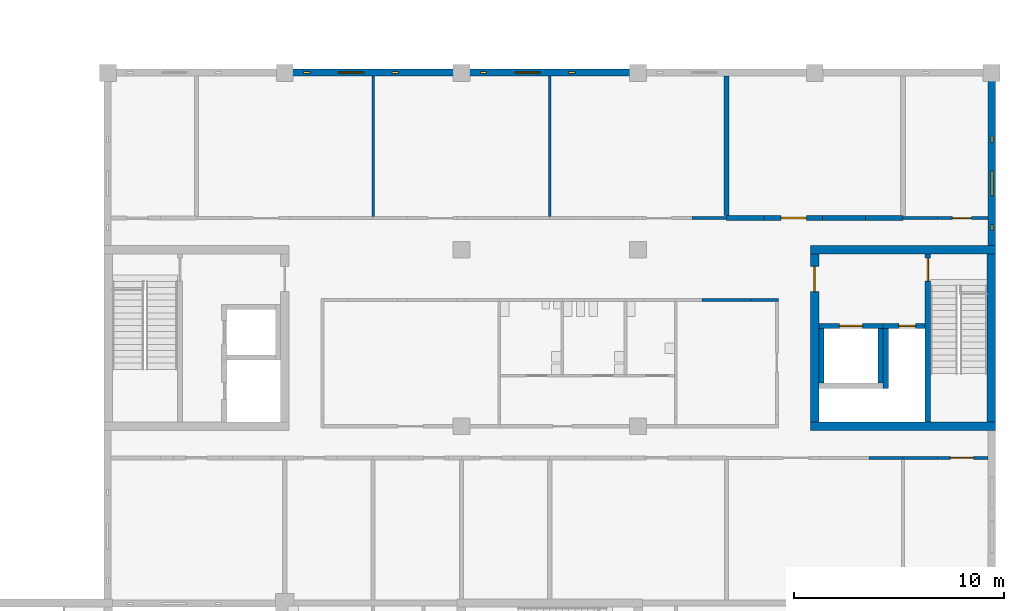
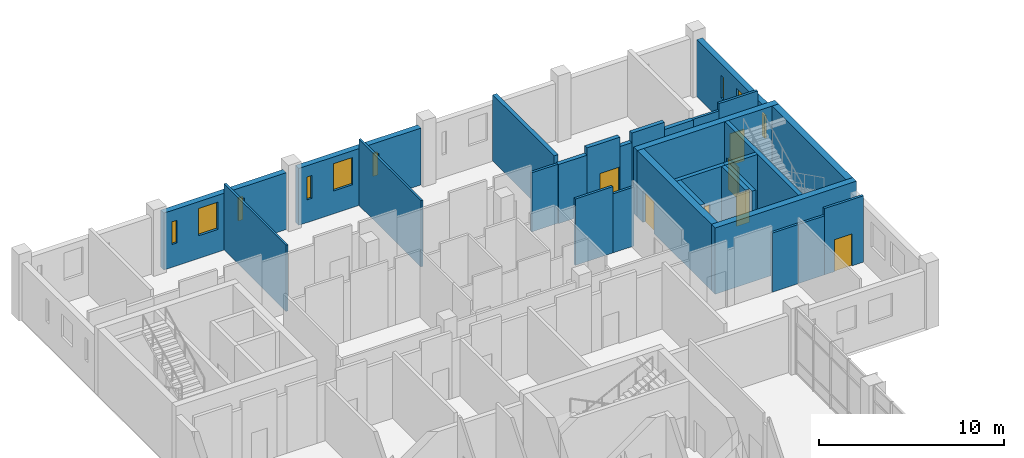
# One storey, part 48 of 70: 29 walls, 9 windows, 7 doors, 16 openings.
"""IFC4 building model written with IfcOpenShell, lengths in metres."""

import ifcopenshell
import ifcopenshell.guid

model = None  # the IFC model being written
_history = None  # IfcOwnerHistory: only IFC2X3 demands one
_inside = {}  # id of a spatial element -> (the spatial element, [elements in it])
_under = {}  # id of a project, library or spatial element -> (it, [spatial elements below it])
_declared = {}  # id of a project -> (the project, [libraries it declares])
_typed = {}  # id of a type object -> (the type object, [elements of that type])
_made_of = {}  # id of a material, layer set ... -> (it, [elements and type objects made of it])


def new_model(schema):
    """Start an empty IFC model of exactly this schema.

    Asked for "IFC4X3", IfcOpenShell would pick the latest addendum, in which some entities
    have other attributes; the version numbers below select the first issue.
    IFC2X3 requires an IfcOwnerHistory on every rooted entity: one is made here for all.
    """
    global model, _history
    if schema == "IFC4X3":
        model = ifcopenshell.file(schema_version=(4, 3, 0, 0))
    else:
        model = ifcopenshell.file(schema=schema)
    _inside.clear()
    _under.clear()
    _declared.clear()
    _typed.clear()
    _made_of.clear()
    _history = None
    if model.schema == "IFC2X3":
        org = make("IfcOrganization", Name="unknown")
        user = make(
            "IfcPersonAndOrganization",
            ThePerson=make("IfcPerson", FamilyName="unknown"),
            TheOrganization=org,
        )
        app = make(
            "IfcApplication",
            ApplicationDeveloper=org,
            Version="unknown",
            ApplicationFullName="unknown",
            ApplicationIdentifier="unknown",
        )
        _history = make(
            "IfcOwnerHistory",
            OwningUser=user,
            OwningApplication=app,
            ChangeAction="ADDED",
            CreationDate=0,
        )
    return model


def make(cls, **values):
    """One entity of the class cls with the attributes given. An attribute that is None is left unset."""
    return model.create_entity(
        cls, **{name: value for name, value in values.items() if value is not None}
    )


def rooted(cls, **values):
    """An entity with a GlobalId (a new one), such as an element, a storey or a relation."""
    return make(cls, GlobalId=ifcopenshell.guid.new(), OwnerHistory=_history, **values)


def si_unit(unit_type, name, prefix=None):
    """IfcSIUnit, for example si_unit("LENGTHUNIT", "METRE", prefix="MILLI")."""
    return make("IfcSIUnit", UnitType=unit_type, Prefix=prefix, Name=name)


def assignment(units):
    """IfcUnitAssignment: the units of a project."""
    return None if units is None else make("IfcUnitAssignment", Units=units)


def point(xyz):
    """IfcCartesianPoint."""
    return None if xyz is None else make("IfcCartesianPoint", Coordinates=xyz)


def direction(xyz):
    """IfcDirection."""
    return None if xyz is None else make("IfcDirection", DirectionRatios=xyz)


def frame(location, z_axis=None, x_axis=None):
    """IfcAxis2Placement3D, a coordinate frame: its origin and axes. An axis left out is left unset."""
    return make(
        "IfcAxis2Placement3D",
        Location=point(location),
        Axis=direction(z_axis),
        RefDirection=direction(x_axis),
    )


def frame_2d(location, x_axis=None):
    """IfcAxis2Placement2D, a coordinate frame in the plane: its origin and x axis."""
    return make(
        "IfcAxis2Placement2D", Location=point(location), RefDirection=direction(x_axis)
    )


def origin():
    """The frame at (0, 0, 0) with its axes left unset."""
    return frame((0.0, 0.0, 0.0))


def place(relative_to, where):
    """IfcLocalPlacement: puts the frame where relative to a parent placement (None: the world)."""
    return make(
        "IfcLocalPlacement", PlacementRelTo=relative_to, RelativePlacement=where
    )


def context(
    kind, dimensions, precision=None, world=None, true_north=None, identifier=None
):
    """IfcGeometricRepresentationContext, for example the 3D "Model" context."""
    return make(
        "IfcGeometricRepresentationContext",
        ContextIdentifier=identifier,
        ContextType=kind,
        CoordinateSpaceDimension=dimensions,
        Precision=precision,
        WorldCoordinateSystem=world,
        TrueNorth=true_north,
    )


def subcontext(parent, identifier, kind, view, scale=None):
    """IfcGeometricRepresentationSubContext, for example "Body" below "Model"."""
    return make(
        "IfcGeometricRepresentationSubContext",
        ContextIdentifier=identifier,
        ContextType=kind,
        ParentContext=parent,
        TargetScale=scale,
        TargetView=view,
    )


def project(units=None, contexts=None):
    """IfcProject with its units and contexts."""
    return rooted(
        "IfcProject",
        Name="project",
        RepresentationContexts=contexts,
        UnitsInContext=assignment(units),
    )


def spatial(cls, under=None, at=None, **own):
    """A site, building, storey or space (cls), placed at a placement, below another one or the project."""
    s = rooted(cls, ObjectPlacement=at, **own)
    if under is not None:
        _under.setdefault(under.id(), (under, []))[1].append(s)
    return s


def profile(cls, at=None, kind="AREA", **sizes):
    """A parametric profile (cls). Its sizes go by their IFC names, for example OverallWidth=200.0."""
    return make(cls, ProfileType=kind, Position=at, **sizes)


def rectangle(**sizes):
    """IfcRectangleProfileDef."""
    return profile("IfcRectangleProfileDef", **sizes)


def extrude(swept, where, along, depth):
    """IfcExtrudedAreaSolid: the profile swept, set in the frame where, extruded along a direction by depth."""
    return make(
        "IfcExtrudedAreaSolid",
        SweptArea=swept,
        Position=where,
        ExtrudedDirection=direction(along),
        Depth=depth,
    )


def shape(context_of_items, identifier, shape_type, items):
    """IfcShapeRepresentation: the items that make up one representation, for example the "Body"."""
    return make(
        "IfcShapeRepresentation",
        ContextOfItems=context_of_items,
        RepresentationIdentifier=identifier,
        RepresentationType=shape_type,
        Items=items,
    )


def material(Name=None, Category=None):
    """IfcMaterial."""
    return make("IfcMaterial", Name=Name, Category=Category)


def layer(
    of_material, thickness, ventilated=None, Name=None, Category=None, Priority=None
):
    """IfcMaterialLayer: one layer of a wall or slab, of a material (None: an air gap)."""
    return make(
        "IfcMaterialLayer",
        Material=of_material,
        LayerThickness=thickness,
        IsVentilated=ventilated,
        Name=Name,
        Category=Category,
        Priority=Priority,
    )


def layer_set(layers, Name=None):
    """IfcMaterialLayerSet."""
    return make("IfcMaterialLayerSet", MaterialLayers=layers, LayerSetName=Name)


def made_of(thing, what):
    """Note that an element or type object is made of a material, layer set ...; save() writes the relation."""
    if what is not None:
        _made_of.setdefault(what.id(), (what, []))[1].append(thing)
    return thing


def type_object(cls, material=None, **own):
    """A type object (cls), such as IfcWallType, which elements share."""
    return made_of(rooted(cls, **own), material)


def element(
    cls,
    number,
    at=None,
    inside=None,
    cuts=None,
    type_object=None,
    material=None,
    context=None,
    identifier="Body",
    shape_type=None,
    held_by="IfcProductDefinitionShape",
    body=None,
    shapes=None,
    **own,
):
    """One element of the class cls, such as IfcWall. Its Tag is "e" and its number.

    at: its placement. inside: the storey or other place that contains it. cuts: it is an
    opening in that element (IfcRelVoidsElement). A single representation is given by context,
    identifier, shape_type and body (its items); several are given by shapes. held_by: the class
    of the entity that holds the representations. save() writes the other relations.
    """
    e = rooted(cls, Tag="e%d" % number, ObjectPlacement=at, **own)
    if body is not None:
        shapes = [shape(context, identifier, shape_type, body)]
    if shapes is not None:
        e.Representation = make(held_by, Representations=shapes)
    if inside is not None:
        _inside.setdefault(inside.id(), (inside, []))[1].append(e)
    if cuts is not None:
        rooted(
            "IfcRelVoidsElement", RelatingBuildingElement=cuts, RelatedOpeningElement=e
        )
    if type_object is not None:
        _typed.setdefault(type_object.id(), (type_object, []))[1].append(e)
    return made_of(e, material)


def fill(opening, filler):
    """IfcRelFillsElement: the door or window that sits in an opening."""
    return rooted(
        "IfcRelFillsElement",
        RelatingOpeningElement=opening,
        RelatedBuildingElement=filler,
    )


def aggregate(whole, parts):
    """IfcRelAggregates: a whole, such as a stair, and the parts it consists of."""
    return rooted("IfcRelAggregates", RelatingObject=whole, RelatedObjects=parts)


def save(model, path):
    """Write the relations noted so far, then the file.

    IfcRelAggregates (storeys below a building ...), IfcRelContainedInSpatialStructure (elements
    in a storey), IfcRelDefinesByType, IfcRelAssociatesMaterial and IfcRelDeclares: one each for
    every whole, place, type object, material and project.
    """
    for whole, parts in _under.values():
        aggregate(whole, parts)
    for where, things in _inside.values():
        rooted(
            "IfcRelContainedInSpatialStructure",
            RelatedElements=things,
            RelatingStructure=where,
        )
    for kind, things in _typed.values():
        rooted("IfcRelDefinesByType", RelatedObjects=things, RelatingType=kind)
    for what, things in _made_of.values():
        rooted("IfcRelAssociatesMaterial", RelatedObjects=things, RelatingMaterial=what)
    for by, libraries in _declared.values():
        rooted("IfcRelDeclares", RelatingContext=by, RelatedDefinitions=libraries)
    model.write(path)


model = new_model("IFC4")

# Units and contexts
model_context = context("Model", 3, precision=1e-05, world=origin(), true_north=direction((0.0, 1.0)))
body_context = subcontext(model_context, "Body", "Model", "MODEL_VIEW")
ifc_project = project(units=[si_unit("LENGTHUNIT", "METRE"), si_unit("AREAUNIT", "SQUARE_METRE"), si_unit("VOLUMEUNIT", "CUBIC_METRE"), si_unit("PLANEANGLEUNIT", "RADIAN"), si_unit("MASSUNIT", "GRAM", prefix="KILO")], contexts=[model_context])

# Site, building, storey
site_placement = place(None, origin())
site = spatial("IfcSite", under=ifc_project, at=site_placement, CompositionType="ELEMENT")
building_placement = place(site_placement, origin())
building = spatial("IfcBuilding", under=site, at=building_placement, Name="Hlaing Beacon Police Headquarters", CompositionType="ELEMENT")
storey_placement = place(building_placement, frame((0.0, 0.0, 5.39990234375)))
storey = spatial("IfcBuildingStorey", under=building, at=storey_placement, Name="L01", CompositionType="ELEMENT", Elevation=5.39990234375)

# Walls
ifc_material_1 = material(Name="Concrete C60/75", Category="concrete")
ifc_layer_1 = layer(ifc_material_1, 0.39990234375)
ifc_layer_set_1 = layer_set([ifc_layer_1], Name="Concrete C60/75")
wall_type_1 = type_object("IfcWallType", Name="Core shear wall 400", PredefinedType="SHEAR", material=ifc_layer_set_1)
for number, where, z_axis, x_axis, name in (
    (1, (125.800048828125, 75.60009765625, 0.0), (0.0, 0.0, 1.0), (1.0, 0.0, 0.0), "Core shear wall"),
    (2, (125.800048828125, 84.0, 0.0), (0.0, 0.0, 1.0), (1.0, 0.0, 0.0), "Core shear wall"),
):
    element("IfcWall", number, at=place(storey_placement, frame(where, z_axis=z_axis, x_axis=x_axis)), inside=storey, type_object=wall_type_1, Name=name, PredefinedType="SHEAR", context=body_context, shape_type="SweptSolid", body=[
        extrude(rectangle(XDim=8.800048828125, YDim=0.39990234375, at=frame_2d((4.39990234375, 0.0))), origin(), (0.0, 0.0, 1.0), 4.3701171875),
    ])

# Wall, opening, door
wall_1_placement = place(storey_placement, frame((126.0, 75.800048828125, 0.0), z_axis=(0.0, 0.0, 1.0), x_axis=(0.0, 1.0, 0.0)))
wall_1 = element("IfcWall", 3, at=wall_1_placement, inside=storey, type_object=wall_type_1, Name="Core shear wall", PredefinedType="SHEAR", context=body_context, shape_type="SweptSolid", body=[
    extrude(rectangle(XDim=8.0, YDim=0.39990234375, at=frame_2d((4.0, 0.0))), origin(), (0.0, 0.0, 1.0), 4.3701171875),
])
opening_1_placement = place(wall_1_placement, frame((6.199951171875, 0.0, 0.0)))
opening_1 = element("IfcOpeningElement", 4, at=opening_1_placement, cuts=wall_1, Name="Opening L01-969", PredefinedType="OPENING", context=body_context, shape_type="SweptSolid", body=[
    extrude(rectangle(XDim=1.199951171875, YDim=2.10009765625, at=frame_2d((0.60009765625, 1.050048828125))), frame((0.0, 0.2099609375, 0.0), z_axis=(0.0, -1.0, 0.0), x_axis=(1.0, 0.0, 0.0)), (0.0, 0.0, 1.0), 0.419921875),
])
ifc_material_2 = material(Name="Steel fire door leaf", Category="steel")
ifc_layer_2 = layer(ifc_material_2, 0.070068359375)
ifc_layer_set_2 = layer_set([ifc_layer_2], Name="Steel fire door leaf")
door_type_1 = type_object("IfcDoorType", Name="Steel fire door FD60S 1200x2100", OperationType="SINGLE_SWING_LEFT", PredefinedType="DOOR", material=ifc_layer_set_2)
door_1_placement = place(opening_1_placement, frame((1.199951171875, 0.0, 0.0), z_axis=(0.0, 0.0, 1.0), x_axis=(-1.0, 0.0, 0.0)))
door_1 = element("IfcDoor", 5, at=door_1_placement, inside=storey, type_object=door_type_1, Name="Door Firefighting Lobby Entry", OperationType="SINGLE_SWING_LEFT", OverallHeight=2.10009765625, OverallWidth=1.199951171875, PredefinedType="DOOR", context=body_context, shape_type="SweptSolid", body=[
    extrude(rectangle(XDim=1.199951171875, YDim=2.10009765625, at=frame_2d((0.599853515625, 1.050048828125))), frame((0.0, 0.034912109375, 0.0), z_axis=(0.0, -1.0, 0.0), x_axis=(1.0, 0.0, 0.0)), (0.0, 0.0, 1.0), 0.070068359375),
])
fill(opening_1, door_1)

# Walls
wall_2_placement = place(storey_placement, frame((134.39990234375, 75.800048828125, 0.0), z_axis=(0.0, 0.0, 1.0), x_axis=(0.0, 1.0, 0.0)))
element("IfcWall", 6, at=wall_2_placement, inside=storey, type_object=wall_type_1, Name="Core shear wall", PredefinedType="SHEAR", context=body_context, shape_type="SweptSolid", body=[
    extrude(rectangle(XDim=8.0, YDim=0.39990234375, at=frame_2d((4.0, 0.0))), origin(), (0.0, 0.0, 1.0), 4.3701171875),
])
ifc_material_3 = material(Name="Gypsum board partition")
ifc_layer_3 = layer(ifc_material_3, 0.14990234375)
ifc_layer_set_3 = layer_set([ifc_layer_3], Name="Gypsum board partition")
wall_type_2 = type_object("IfcWallType", Name="Corridor wall EI 30 150", PredefinedType="PARTITIONING", material=ifc_layer_set_3)
wall_3_placement = place(storey_placement, frame((120.6298828125, 81.60009765625, 0.0), z_axis=(0.0, 0.0, 1.0), x_axis=(1.0, 0.0, 0.0)))
element("IfcWall", 7, at=wall_3_placement, inside=storey, type_object=wall_type_2, Name="Corridor wall EI 30 150", PredefinedType="PARTITIONING", context=body_context, shape_type="SweptSolid", body=[
    extrude(rectangle(XDim=2.340087890625, YDim=0.14990234375, at=frame_2d((1.169921875, 0.0))), origin(), (0.0, 0.0, 1.0), 4.3701171875),
])
wall_4_placement = place(storey_placement, frame((122.969970703125, 81.60009765625, 0.0), z_axis=(0.0, 0.0, 1.0), x_axis=(1.0, 0.0, 0.0)))
element("IfcWall", 8, at=wall_4_placement, inside=storey, type_object=wall_type_2, Name="Corridor wall EI 30 150", PredefinedType="PARTITIONING", context=body_context, shape_type="SweptSolid", body=[
    extrude(rectangle(XDim=1.304931640625, YDim=0.14990234375, at=frame_2d((0.65234375, 0.0))), origin(), (0.0, 0.0, 1.0), 3.89501953125),
])
for number, where, z_axis, x_axis, name in (
    (9, (120.169921875, 85.5, 0.0), (0.0, 0.0, 1.0), (1.0, 0.0, 0.0), "Corridor wall EI 30 150"),
    (10, (130.199951171875, 85.5, 0.0), (0.0, 0.0, 1.0), (1.0, 0.0, 0.0), "Corridor wall EI 30 150"),
):
    element("IfcWall", number, at=place(storey_placement, frame(where, z_axis=z_axis, x_axis=x_axis)), inside=storey, type_object=wall_type_2, Name=name, PredefinedType="PARTITIONING", context=body_context, shape_type="SweptSolid", body=[
        extrude(rectangle(XDim=1.630126953125, YDim=0.14990234375, at=frame_2d((0.81494140625, 0.0))), origin(), (0.0, 0.0, 1.0), 3.89501953125),
    ])

# Wall, opening, door
wall_5_placement = place(storey_placement, frame((131.830078125, 85.5, 0.0), z_axis=(0.0, 0.0, 1.0), x_axis=(1.0, 0.0, 0.0)))
wall_5 = element("IfcWall", 11, at=wall_5_placement, inside=storey, type_object=wall_type_2, Name="Corridor wall EI 30 150", PredefinedType="PARTITIONING", context=body_context, shape_type="SweptSolid", body=[
    extrude(rectangle(XDim=2.419921875, YDim=0.14990234375, at=frame_2d((1.2099609375, 0.0))), origin(), (0.0, 0.0, 1.0), 4.3701171875),
])
opening_2_placement = place(wall_5_placement, frame((0.719970703125, 0.0, 0.0)))
opening_2 = element("IfcOpeningElement", 12, at=opening_2_placement, cuts=wall_5, Name="Opening L01-080", PredefinedType="OPENING", context=body_context, shape_type="SweptSolid", body=[
    extrude(rectangle(XDim=0.89990234375, YDim=2.10009765625, at=frame_2d((0.449951171875, 1.050048828125))), frame((0.0, 0.0849609375, 0.0), z_axis=(0.0, -1.0, 0.0), x_axis=(1.0, 0.0, 0.0)), (0.0, 0.0, 1.0), 0.169921875),
])
ifc_material_4 = material(Name="Hardwood door leaf", Category="wood")
ifc_layer_4 = layer(ifc_material_4, 0.050048828125)
ifc_layer_set_4 = layer_set([ifc_layer_4], Name="Hardwood door leaf")
door_type_2 = type_object("IfcDoorType", Name="Fire door FD30S 900x2100", OperationType="SINGLE_SWING_LEFT", PredefinedType="DOOR", material=ifc_layer_set_4)
door_2_placement = place(opening_2_placement, origin())
door_2 = element("IfcDoor", 13, at=door_2_placement, inside=storey, type_object=door_type_2, Name="Door Training Offices", OperationType="SINGLE_SWING_LEFT", OverallHeight=2.10009765625, OverallWidth=0.89990234375, PredefinedType="DOOR", context=body_context, shape_type="SweptSolid", body=[
    extrude(rectangle(XDim=0.89990234375, YDim=2.10009765625, at=frame_2d((0.449951171875, 1.050048828125))), frame((0.0, 0.02490234375, 0.0), z_axis=(0.0, -1.0, 0.0), x_axis=(1.0, 0.0, 0.0)), (0.0, 0.0, 1.0), 0.050048828125),
])
fill(opening_2, door_2)

# Walls
wall_6_placement = place(storey_placement, frame((128.570068359375, 74.10009765625, 0.0), z_axis=(0.0, 0.0, 1.0), x_axis=(1.0, 0.0, 0.0)))
element("IfcWall", 14, at=wall_6_placement, inside=storey, type_object=wall_type_2, Name="Corridor wall EI 30 150", PredefinedType="PARTITIONING", context=body_context, shape_type="SweptSolid", body=[
    extrude(rectangle(XDim=1.6298828125, YDim=0.14990234375, at=frame_2d((0.81494140625, 0.0))), origin(), (0.0, 0.0, 1.0), 3.89501953125),
])
wall_7_placement = place(storey_placement, frame((130.199951171875, 74.10009765625, 0.0), z_axis=(0.0, 0.0, 1.0), x_axis=(1.0, 0.0, 0.0)))
element("IfcWall", 15, at=wall_7_placement, inside=storey, type_object=wall_type_2, Name="Corridor wall EI 30 150", PredefinedType="PARTITIONING", context=body_context, shape_type="SweptSolid", body=[
    extrude(rectangle(XDim=1.630126953125, YDim=0.14990234375, at=frame_2d((0.81494140625, 0.0))), origin(), (0.0, 0.0, 1.0), 3.89501953125),
])

# Wall, opening, door
wall_8_placement = place(storey_placement, frame((131.830078125, 74.10009765625, 0.0), z_axis=(0.0, 0.0, 1.0), x_axis=(1.0, 0.0, 0.0)))
wall_8 = element("IfcWall", 16, at=wall_8_placement, inside=storey, type_object=wall_type_2, Name="Corridor wall EI 30 150", PredefinedType="PARTITIONING", context=body_context, shape_type="SweptSolid", body=[
    extrude(rectangle(XDim=2.419921875, YDim=0.14990234375, at=frame_2d((1.2099609375, 0.0))), origin(), (0.0, 0.0, 1.0), 4.3701171875),
])
opening_3_placement = place(wall_8_placement, frame((0.6201171875, 0.0, 0.0)))
opening_3 = element("IfcOpeningElement", 17, at=opening_3_placement, cuts=wall_8, Name="Opening L01-087", PredefinedType="OPENING", context=body_context, shape_type="SweptSolid", body=[
    extrude(rectangle(XDim=1.10009765625, YDim=2.10009765625, at=frame_2d((0.550048828125, 1.050048828125))), frame((0.0, 0.0849609375, 0.0), z_axis=(0.0, -1.0, 0.0), x_axis=(1.0, 0.0, 0.0)), (0.0, 0.0, 1.0), 0.169921875),
])
ifc_material_5 = material(Name="Hardwood door leaf", Category="wood")
ifc_layer_5 = layer(ifc_material_5, 0.050048828125)
ifc_layer_set_5 = layer_set([ifc_layer_5], Name="Hardwood door leaf")
door_type_3 = type_object("IfcDoorType", Name="Fire door FD30S 1100x2100", OperationType="SINGLE_SWING_LEFT", PredefinedType="DOOR", material=ifc_layer_set_5)
door_3_placement = place(opening_3_placement, frame((1.10009765625, 0.0, 0.0), z_axis=(0.0, 0.0, 1.0), x_axis=(-1.0, 0.0, 0.0)))
door_3 = element("IfcDoor", 18, at=door_3_placement, inside=storey, type_object=door_type_3, Name="Door Detainee Kitchen", OperationType="SINGLE_SWING_RIGHT", OverallHeight=2.10009765625, OverallWidth=1.10009765625, PredefinedType="DOOR", context=body_context, shape_type="SweptSolid", body=[
    extrude(rectangle(XDim=1.10009765625, YDim=2.10009765625, at=frame_2d((0.550048828125, 1.050048828125))), frame((0.0, 0.025146484375, 0.0), z_axis=(0.0, -1.0, 0.0), x_axis=(1.0, 0.0, 0.0)), (0.0, 0.0, 1.0), 0.050048828125),
])
fill(opening_3, door_3)

# Walls
ifc_material_6 = material(Name="Gypsum board partition")
ifc_layer_6 = layer(ifc_material_6, 0.125)
ifc_layer_set_6 = layer_set([ifc_layer_6], Name="Gypsum board partition")
wall_type_3 = type_object("IfcWallType", Name="Partition 125", PredefinedType="PARTITIONING", material=ifc_layer_set_6)
for number, where, z_axis, x_axis, name in (
    (19, (105.0, 85.574951171875, 0.0), (0.0, 0.0, 1.0), (0.0, 1.0, 0.0), "Partition 125"),
    (20, (113.39990234375, 85.574951171875, 0.0), (0.0, 0.0, 1.0), (0.0, 1.0, 0.0), "Partition 125"),
):
    element("IfcWall", number, at=place(storey_placement, frame(where, z_axis=z_axis, x_axis=x_axis)), inside=storey, type_object=wall_type_3, Name=name, PredefinedType="PARTITIONING", context=body_context, shape_type="SweptSolid", body=[
        extrude(rectangle(XDim=6.675048828125, YDim=0.125, at=frame_2d((3.33740234375, 0.0))), origin(), (0.0, 0.0, 1.0), 4.3701171875),
    ])
ifc_material_7 = material(Name="Concrete blockwork 7.5 N/mm2", Category="masonry")
ifc_layer_7 = layer(ifc_material_7, 0.25)
ifc_layer_set_7 = layer_set([ifc_layer_7], Name="Concrete blockwork 7.5 N/mm2")
wall_type_4 = type_object("IfcWallType", Name="Plant room wall EI 120 250", PredefinedType="PARTITIONING", material=ifc_layer_set_7)
wall_9_placement = place(storey_placement, frame((121.800048828125, 85.625, 0.0), z_axis=(0.0, 0.0, 1.0), x_axis=(0.0, 1.0, 0.0)))
element("IfcWall", 21, at=wall_9_placement, inside=storey, type_object=wall_type_4, Name="Plant room wall EI 120 250", PredefinedType="PARTITIONING", context=body_context, shape_type="SweptSolid", body=[
    extrude(rectangle(XDim=6.625, YDim=0.25, at=frame_2d((3.3125, 0.0))), origin(), (0.0, 0.0, 1.0), 4.3701171875),
])
wall_10_placement = place(storey_placement, frame((121.800048828125, 85.5, 0.0), z_axis=(0.0, 0.0, 1.0), x_axis=(1.0, 0.0, 0.0)))
element("IfcWall", 22, at=wall_10_placement, inside=storey, type_object=wall_type_4, Name="Plant room wall EI 120 250", PredefinedType="PARTITIONING", context=body_context, shape_type="SweptSolid", body=[
    extrude(rectangle(XDim=1.780029296875, YDim=0.25, at=frame_2d((0.89013671875, 0.0))), origin(), (0.0, 0.0, 1.0), 3.89501953125),
])

# Wall, opening, door
wall_11_placement = place(storey_placement, frame((123.580078125, 85.5, 0.0), z_axis=(0.0, 0.0, 1.0), x_axis=(1.0, 0.0, 0.0)))
wall_11 = element("IfcWall", 23, at=wall_11_placement, inside=storey, type_object=wall_type_4, Name="Plant room wall EI 120 250", PredefinedType="PARTITIONING", context=body_context, shape_type="SweptSolid", body=[
    extrude(rectangle(XDim=2.0400390625, YDim=0.25, at=frame_2d((1.02001953125, 0.0))), origin(), (0.0, 0.0, 1.0), 4.3701171875),
])
opening_4_placement = place(wall_11_placement, frame((0.820068359375, 0.0, 0.0)))
opening_4 = element("IfcOpeningElement", 24, at=opening_4_placement, cuts=wall_11, Name="Opening L01-079", PredefinedType="OPENING", context=body_context, shape_type="SweptSolid", body=[
    extrude(rectangle(XDim=1.199951171875, YDim=2.39990234375, at=frame_2d((0.60009765625, 1.199951171875))), frame((0.0, 0.135009765625, 0.0), z_axis=(0.0, -1.0, 0.0), x_axis=(1.0, 0.0, 0.0)), (0.0, 0.0, 1.0), 0.27001953125),
])
ifc_material_8 = material(Name="Steel fire door leaf", Category="steel")
ifc_layer_8 = layer(ifc_material_8, 0.10009765625)
ifc_layer_set_8 = layer_set([ifc_layer_8], Name="Steel fire door leaf")
door_type_4 = type_object("IfcDoorType", Name="Steel plant door FD120 1200x2400", OperationType="SINGLE_SWING_LEFT", PredefinedType="DOOR", material=ifc_layer_set_8)
door_4_placement = place(opening_4_placement, origin())
door_4 = element("IfcDoor", 25, at=door_4_placement, inside=storey, type_object=door_type_4, Name="Door Custody Plant Room", OperationType="SINGLE_SWING_RIGHT", OverallHeight=2.39990234375, OverallWidth=1.199951171875, PredefinedType="DOOR", context=body_context, shape_type="SweptSolid", body=[
    extrude(rectangle(XDim=1.199951171875, YDim=2.39990234375, at=frame_2d((0.60009765625, 1.199951171875))), frame((0.0, 0.050048828125, 0.0), z_axis=(0.0, -1.0, 0.0), x_axis=(1.0, 0.0, 0.0)), (0.0, 0.0, 1.0), 0.10009765625),
])
fill(opening_4, door_4)

# Walls
wall_12_placement = place(storey_placement, frame((125.6201171875, 85.5, 0.0), z_axis=(0.0, 0.0, 1.0), x_axis=(1.0, 0.0, 0.0)))
element("IfcWall", 26, at=wall_12_placement, inside=storey, type_object=wall_type_4, Name="Plant room wall EI 120 250", PredefinedType="PARTITIONING", context=body_context, shape_type="SweptSolid", body=[
    extrude(rectangle(XDim=0.759765625, YDim=0.25, at=frame_2d((0.3798828125, 0.0))), origin(), (0.0, 0.0, 1.0), 3.74609375),
])
wall_13_placement = place(storey_placement, frame((126.3798828125, 85.5, 0.0), z_axis=(0.0, 0.0, 1.0), x_axis=(1.0, 0.0, 0.0)))
element("IfcWall", 27, at=wall_13_placement, inside=storey, type_object=wall_type_4, Name="Plant room wall EI 120 250", PredefinedType="PARTITIONING", context=body_context, shape_type="SweptSolid", body=[
    extrude(rectangle(XDim=2.0400390625, YDim=0.25, at=frame_2d((1.02001953125, 0.0))), origin(), (0.0, 0.0, 1.0), 4.3701171875),
])
wall_14_placement = place(storey_placement, frame((128.419921875, 85.5, 0.0), z_axis=(0.0, 0.0, 1.0), x_axis=(1.0, 0.0, 0.0)))
element("IfcWall", 28, at=wall_14_placement, inside=storey, type_object=wall_type_4, Name="Plant room wall EI 120 250", PredefinedType="PARTITIONING", context=body_context, shape_type="SweptSolid", body=[
    extrude(rectangle(XDim=1.780029296875, YDim=0.25, at=frame_2d((0.89013671875, 0.0))), origin(), (0.0, 0.0, 1.0), 3.89501953125),
])

# Wall, openings, windows
ifc_material_9 = material(Name="Concrete C40/50 precast with security mesh", Category="concrete")
ifc_layer_9 = layer(ifc_material_9, 0.35009765625)
ifc_layer_set_9 = layer_set([ifc_layer_9], Name="Concrete C40/50 precast with security mesh")
wall_type_5 = type_object("IfcWallType", Name="Precast security wall 350", PredefinedType="SOLIDWALL", material=ifc_layer_set_9)
wall_15_placement = place(storey_placement, frame((134.425048828125, 84.199951171875, 0.0), z_axis=(0.0, 0.0, 1.0), x_axis=(0.0, 1.0, 0.0)))
wall_15 = element("IfcWall", 29, at=wall_15_placement, inside=storey, type_object=wall_type_5, Name="External wall L01 E032", PredefinedType="SOLIDWALL", context=body_context, shape_type="SweptSolid", body=[
    extrude(rectangle(XDim=7.820068359375, YDim=0.35009765625, at=frame_2d((3.91015625, 0.0))), origin(), (0.0, 0.0, 1.0), 3.74609375),
])
opening_5_placement = place(wall_15_placement, frame((0.699951171875, 0.0, 1.5)))
opening_5 = element("IfcOpeningElement", 30, at=opening_5_placement, cuts=wall_15, Name="Opening WN21", PredefinedType="OPENING", context=body_context, shape_type="SweptSolid", body=[
    extrude(rectangle(XDim=0.300048828125, YDim=1.5, at=frame_2d((0.14990234375, 0.75))), frame((0.0, 0.18505859375, 0.0), z_axis=(0.0, -1.0, 0.0), x_axis=(1.0, 0.0, 0.0)), (0.0, 0.0, 1.0), 0.3701171875),
])
opening_6_placement = place(wall_15_placement, frame((2.35009765625, 0.0, 1.5)))
opening_6 = element("IfcOpeningElement", 31, at=opening_6_placement, cuts=wall_15, Name="Opening WN25", PredefinedType="OPENING", context=body_context, shape_type="SweptSolid", body=[
    extrude(rectangle(XDim=1.199951171875, YDim=1.64990234375, at=frame_2d((0.60009765625, 0.824951171875))), frame((0.0, 0.18505859375, 0.0), z_axis=(0.0, -1.0, 0.0), x_axis=(1.0, 0.0, 0.0)), (0.0, 0.0, 1.0), 0.3701171875),
])
opening_7_placement = place(wall_15_placement, frame((4.89990234375, 0.0, 1.5)))
opening_7 = element("IfcOpeningElement", 32, at=opening_7_placement, cuts=wall_15, Name="Opening WN21", PredefinedType="OPENING", context=body_context, shape_type="SweptSolid", body=[
    extrude(rectangle(XDim=0.300048828125, YDim=1.5, at=frame_2d((0.14990234375, 0.75))), frame((0.0, 0.18505859375, 0.0), z_axis=(0.0, -1.0, 0.0), x_axis=(1.0, 0.0, 0.0)), (0.0, 0.0, 1.0), 0.3701171875),
])
ifc_material_10 = material(Name="Aluminium frame with solar control glazing", Category="aluminium")
window_type_1 = type_object("IfcWindowType", Name="Module window 1200x1650 frame 80", PartitioningType="SINGLE_PANEL", PredefinedType="WINDOW", material=ifc_material_10)
window_1_placement = place(opening_6_placement, origin())
window_1 = element("IfcWindow", 33, at=window_1_placement, inside=storey, type_object=window_type_1, Name="Window L01 WC", OverallHeight=1.64990234375, OverallWidth=1.199951171875, PartitioningType="SINGLE_PANEL", PredefinedType="WINDOW", context=body_context, shape_type="SweptSolid", body=[
    extrude(rectangle(XDim=1.199951171875, YDim=1.64990234375, at=frame_2d((0.60009765625, 0.824951171875))), frame((0.0, 0.0400390625, 0.0), z_axis=(0.0, -1.0, 0.0), x_axis=(1.0, 0.0, 0.0)), (0.0, 0.0, 1.0), 0.080078125),
])
fill(opening_6, window_1)
ifc_material_11 = material(Name="Aluminium frame with solar control glazing", Category="aluminium")
window_type_2 = type_object("IfcWindowType", Name="Slit window 300x1500 frame 100", PartitioningType="SINGLE_PANEL", PredefinedType="WINDOW", material=ifc_material_11)
window_2_placement = place(opening_5_placement, origin())
window_2 = element("IfcWindow", 34, at=window_2_placement, inside=storey, type_object=window_type_2, Name="Window L01 WT", OverallHeight=1.5, OverallWidth=0.300048828125, PartitioningType="SINGLE_PANEL", PredefinedType="WINDOW", context=body_context, shape_type="SweptSolid", body=[
    extrude(rectangle(XDim=0.300048828125, YDim=1.5, at=frame_2d((0.14990234375, 0.75))), frame((0.0, 0.050048828125, 0.0), z_axis=(0.0, -1.0, 0.0), x_axis=(1.0, 0.0, 0.0)), (0.0, 0.0, 1.0), 0.10009765625),
])
fill(opening_5, window_2)
window_3_placement = place(opening_7_placement, origin())
window_3 = element("IfcWindow", 35, at=window_3_placement, inside=storey, type_object=window_type_2, Name="Window L01 WT", OverallHeight=1.5, OverallWidth=0.300048828125, PartitioningType="SINGLE_PANEL", PredefinedType="WINDOW", context=body_context, shape_type="SweptSolid", body=[
    extrude(rectangle(XDim=0.300048828125, YDim=1.5, at=frame_2d((0.14990234375, 0.75))), frame((0.0, 0.050048828125, 0.0), z_axis=(0.0, -1.0, 0.0), x_axis=(1.0, 0.0, 0.0)), (0.0, 0.0, 1.0), 0.10009765625),
])
fill(opening_7, window_3)

wall_16_placement = place(storey_placement, frame((117.219970703125, 92.425048828125, 0.0), z_axis=(0.0, 0.0, 1.0), x_axis=(-1.0, 0.0, 0.0)))
wall_16 = element("IfcWall", 36, at=wall_16_placement, inside=storey, type_object=wall_type_5, Name="External wall L01 N035", PredefinedType="SOLIDWALL", context=body_context, shape_type="SweptSolid", body=[
    extrude(rectangle(XDim=7.639892578125, YDim=0.35009765625, at=frame_2d((3.81982421875, 0.0))), origin(), (0.0, 0.0, 1.0), 3.74609375),
])
opening_8_placement = place(wall_16_placement, frame((2.6201171875, 0.0, 1.5)))
opening_8 = element("IfcOpeningElement", 37, at=opening_8_placement, cuts=wall_16, Name="Opening WN21", PredefinedType="OPENING", context=body_context, shape_type="SweptSolid", body=[
    extrude(rectangle(XDim=0.300048828125, YDim=1.5, at=frame_2d((0.14990234375, 0.75))), frame((0.0, 0.18505859375, 0.0), z_axis=(0.0, -1.0, 0.0), x_axis=(1.0, 0.0, 0.0)), (0.0, 0.0, 1.0), 0.3701171875),
])
opening_9_placement = place(wall_16_placement, frame((4.27001953125, 0.0, 1.5)))
opening_9 = element("IfcOpeningElement", 38, at=opening_9_placement, cuts=wall_16, Name="Opening WN26", PredefinedType="OPENING", context=body_context, shape_type="SweptSolid", body=[
    extrude(rectangle(XDim=1.199951171875, YDim=1.800048828125, at=frame_2d((0.60009765625, 0.89990234375))), frame((0.0, 0.18505859375, 0.0), z_axis=(0.0, -1.0, 0.0), x_axis=(1.0, 0.0, 0.0)), (0.0, 0.0, 1.0), 0.3701171875),
])
opening_10_placement = place(wall_16_placement, frame((6.820068359375, 0.0, 1.5)))
opening_10 = element("IfcOpeningElement", 39, at=opening_10_placement, cuts=wall_16, Name="Opening WN21", PredefinedType="OPENING", context=body_context, shape_type="SweptSolid", body=[
    extrude(rectangle(XDim=0.300048828125, YDim=1.5, at=frame_2d((0.14990234375, 0.75))), frame((0.0, 0.18505859375, 0.0), z_axis=(0.0, -1.0, 0.0), x_axis=(1.0, 0.0, 0.0)), (0.0, 0.0, 1.0), 0.3701171875),
])
ifc_material_12 = material(Name="Aluminium frame with solar control glazing", Category="aluminium")
window_type_3 = type_object("IfcWindowType", Name="Module window 1200x1800 frame 60", PartitioningType="SINGLE_PANEL", PredefinedType="WINDOW", material=ifc_material_12)
window_4_placement = place(opening_9_placement, origin())
window_4 = element("IfcWindow", 40, at=window_4_placement, inside=storey, type_object=window_type_3, Name="Window L01 WC", OverallHeight=1.800048828125, OverallWidth=1.199951171875, PartitioningType="SINGLE_PANEL", PredefinedType="WINDOW", context=body_context, shape_type="SweptSolid", body=[
    extrude(rectangle(XDim=1.199951171875, YDim=1.800048828125, at=frame_2d((0.60009765625, 0.89990234375))), frame((0.0, 0.030029296875, 0.0), z_axis=(0.0, -1.0, 0.0), x_axis=(1.0, 0.0, 0.0)), (0.0, 0.0, 1.0), 0.06005859375),
])
fill(opening_9, window_4)
window_5_placement = place(opening_8_placement, origin())
window_5 = element("IfcWindow", 41, at=window_5_placement, inside=storey, type_object=window_type_2, Name="Window L01 WT", OverallHeight=1.5, OverallWidth=0.300048828125, PartitioningType="SINGLE_PANEL", PredefinedType="WINDOW", context=body_context, shape_type="SweptSolid", body=[
    extrude(rectangle(XDim=0.300048828125, YDim=1.5, at=frame_2d((0.14990234375, 0.75))), frame((0.0, 0.050048828125, 0.0), z_axis=(0.0, -1.0, 0.0), x_axis=(1.0, 0.0, 0.0)), (0.0, 0.0, 1.0), 0.10009765625),
])
fill(opening_8, window_5)
window_6_placement = place(opening_10_placement, origin())
window_6 = element("IfcWindow", 42, at=window_6_placement, inside=storey, type_object=window_type_2, Name="Window L01 WT", OverallHeight=1.5, OverallWidth=0.300048828125, PartitioningType="SINGLE_PANEL", PredefinedType="WINDOW", context=body_context, shape_type="SweptSolid", body=[
    extrude(rectangle(XDim=0.300048828125, YDim=1.5, at=frame_2d((0.14990234375, 0.75))), frame((0.0, 0.050048828125, 0.0), z_axis=(0.0, -1.0, 0.0), x_axis=(1.0, 0.0, 0.0)), (0.0, 0.0, 1.0), 0.10009765625),
])
fill(opening_10, window_6)

wall_17_placement = place(storey_placement, frame((108.820068359375, 92.425048828125, 0.0), z_axis=(0.0, 0.0, 1.0), x_axis=(-1.0, 0.0, 0.0)))
wall_17 = element("IfcWall", 43, at=wall_17_placement, inside=storey, type_object=wall_type_5, Name="External wall L01 N036", PredefinedType="SOLIDWALL", context=body_context, shape_type="SweptSolid", body=[
    extrude(rectangle(XDim=7.64013671875, YDim=0.35009765625, at=frame_2d((3.820068359375, 0.0))), origin(), (0.0, 0.0, 1.0), 3.74609375),
])
opening_11_placement = place(wall_17_placement, frame((2.6201171875, 0.0, 1.5)))
opening_11 = element("IfcOpeningElement", 44, at=opening_11_placement, cuts=wall_17, Name="Opening WN21", PredefinedType="OPENING", context=body_context, shape_type="SweptSolid", body=[
    extrude(rectangle(XDim=0.300048828125, YDim=1.5, at=frame_2d((0.14990234375, 0.75))), frame((0.0, 0.18505859375, 0.0), z_axis=(0.0, -1.0, 0.0), x_axis=(1.0, 0.0, 0.0)), (0.0, 0.0, 1.0), 0.3701171875),
])
opening_12_placement = place(wall_17_placement, frame((4.27001953125, 0.0, 1.5)))
opening_12 = element("IfcOpeningElement", 45, at=opening_12_placement, cuts=wall_17, Name="Opening WN26", PredefinedType="OPENING", context=body_context, shape_type="SweptSolid", body=[
    extrude(rectangle(XDim=1.199951171875, YDim=1.800048828125, at=frame_2d((0.60009765625, 0.89990234375))), frame((0.0, 0.18505859375, 0.0), z_axis=(0.0, -1.0, 0.0), x_axis=(1.0, 0.0, 0.0)), (0.0, 0.0, 1.0), 0.3701171875),
])
opening_13_placement = place(wall_17_placement, frame((6.820068359375, 0.0, 1.5)))
opening_13 = element("IfcOpeningElement", 46, at=opening_13_placement, cuts=wall_17, Name="Opening WN21", PredefinedType="OPENING", context=body_context, shape_type="SweptSolid", body=[
    extrude(rectangle(XDim=0.300048828125, YDim=1.5, at=frame_2d((0.14990234375, 0.75))), frame((0.0, 0.18505859375, 0.0), z_axis=(0.0, -1.0, 0.0), x_axis=(1.0, 0.0, 0.0)), (0.0, 0.0, 1.0), 0.3701171875),
])
window_7_placement = place(opening_12_placement, origin())
window_7 = element("IfcWindow", 47, at=window_7_placement, inside=storey, type_object=window_type_3, Name="Window L01 WC", OverallHeight=1.800048828125, OverallWidth=1.199951171875, PartitioningType="SINGLE_PANEL", PredefinedType="WINDOW", context=body_context, shape_type="SweptSolid", body=[
    extrude(rectangle(XDim=1.199951171875, YDim=1.800048828125, at=frame_2d((0.60009765625, 0.89990234375))), frame((0.0, 0.030029296875, 0.0), z_axis=(0.0, -1.0, 0.0), x_axis=(1.0, 0.0, 0.0)), (0.0, 0.0, 1.0), 0.06005859375),
])
fill(opening_12, window_7)
window_8_placement = place(opening_11_placement, origin())
window_8 = element("IfcWindow", 48, at=window_8_placement, inside=storey, type_object=window_type_2, Name="Window L01 WT", OverallHeight=1.5, OverallWidth=0.300048828125, PartitioningType="SINGLE_PANEL", PredefinedType="WINDOW", context=body_context, shape_type="SweptSolid", body=[
    extrude(rectangle(XDim=0.300048828125, YDim=1.5, at=frame_2d((0.14990234375, 0.75))), frame((0.0, 0.050048828125, 0.0), z_axis=(0.0, -1.0, 0.0), x_axis=(1.0, 0.0, 0.0)), (0.0, 0.0, 1.0), 0.10009765625),
])
fill(opening_11, window_8)
window_9_placement = place(opening_13_placement, origin())
window_9 = element("IfcWindow", 49, at=window_9_placement, inside=storey, type_object=window_type_2, Name="Window L01 WT", OverallHeight=1.5, OverallWidth=0.300048828125, PartitioningType="SINGLE_PANEL", PredefinedType="WINDOW", context=body_context, shape_type="SweptSolid", body=[
    extrude(rectangle(XDim=0.300048828125, YDim=1.5, at=frame_2d((0.14990234375, 0.75))), frame((0.0, 0.050048828125, 0.0), z_axis=(0.0, -1.0, 0.0), x_axis=(1.0, 0.0, 0.0)), (0.0, 0.0, 1.0), 0.10009765625),
])
fill(opening_13, window_9)

# Wall, opening, door
ifc_material_13 = material(Name="Concrete C40/50", Category="concrete")
ifc_layer_10 = layer(ifc_material_13, 0.25)
ifc_layer_set_10 = layer_set([ifc_layer_10], Name="Concrete C40/50")
wall_type_6 = type_object("IfcWallType", Name="Shaft wall 250", PredefinedType="SOLIDWALL", material=ifc_layer_set_10)
wall_18_placement = place(storey_placement, frame((131.375, 83.800048828125, 0.0), z_axis=(0.0, 0.0, 1.0), x_axis=(0.0, -1.0, 0.0)))
wall_18 = element("IfcWall", 50, at=wall_18_placement, inside=storey, type_object=wall_type_6, Name="Stair enclosure wall", PredefinedType="SOLIDWALL", context=body_context, shape_type="SweptSolid", body=[
    extrude(rectangle(XDim=8.0, YDim=0.25, at=frame_2d((4.0, 0.0))), origin(), (0.0, 0.0, 1.0), 4.3701171875),
])
opening_14_placement = place(wall_18_placement, frame((0.199951171875, 0.0, 0.0)))
opening_14 = element("IfcOpeningElement", 51, at=opening_14_placement, cuts=wall_18, Name="Opening L01-971", PredefinedType="OPENING", context=body_context, shape_type="SweptSolid", body=[
    extrude(rectangle(XDim=1.10009765625, YDim=2.10009765625, at=frame_2d((0.550048828125, 1.050048828125))), frame((0.0, 0.135009765625, 0.0), z_axis=(0.0, -1.0, 0.0), x_axis=(1.0, 0.0, 0.0)), (0.0, 0.0, 1.0), 0.27001953125),
])
ifc_material_14 = material(Name="Steel fire door leaf", Category="steel")
ifc_layer_11 = layer(ifc_material_14, 0.070068359375)
ifc_layer_set_11 = layer_set([ifc_layer_11], Name="Steel fire door leaf")
door_type_5 = type_object("IfcDoorType", Name="Steel fire door FD60 1100x2100", OperationType="SINGLE_SWING_LEFT", PredefinedType="DOOR", material=ifc_layer_set_11)
door_5_placement = place(opening_14_placement, origin())
door_5 = element("IfcDoor", 52, at=door_5_placement, inside=storey, type_object=door_type_5, Name="Door Stair ST-R", OperationType="SINGLE_SWING_RIGHT", OverallHeight=2.10009765625, OverallWidth=1.10009765625, PredefinedType="DOOR", context=body_context, shape_type="SweptSolid", body=[
    extrude(rectangle(XDim=1.10009765625, YDim=2.10009765625, at=frame_2d((0.550048828125, 1.050048828125))), frame((0.0, 0.03515625, 0.0), z_axis=(0.0, -1.0, 0.0), x_axis=(1.0, 0.0, 0.0)), (0.0, 0.0, 1.0), 0.070068359375),
])
fill(opening_14, door_5)

wall_19_placement = place(storey_placement, frame((131.25, 80.375, 0.0), z_axis=(0.0, 0.0, 1.0), x_axis=(-1.0, 0.0, 0.0)))
wall_19 = element("IfcWall", 53, at=wall_19_placement, inside=storey, type_object=wall_type_6, Name="Firefighting lobby wall", PredefinedType="SOLIDWALL", context=body_context, shape_type="SweptSolid", body=[
    extrude(rectangle(XDim=2.0, YDim=0.25, at=frame_2d((1.0, 0.0))), origin(), (0.0, 0.0, 1.0), 4.3701171875),
])
opening_15_placement = place(wall_19_placement, frame((0.449951171875, 0.0, 0.0)))
opening_15 = element("IfcOpeningElement", 54, at=opening_15_placement, cuts=wall_19, Name="Opening L01-970", PredefinedType="OPENING", context=body_context, shape_type="SweptSolid", body=[
    extrude(rectangle(XDim=0.800048828125, YDim=2.10009765625, at=frame_2d((0.39990234375, 1.050048828125))), frame((0.0, 0.135009765625, 0.0), z_axis=(0.0, -1.0, 0.0), x_axis=(1.0, 0.0, 0.0)), (0.0, 0.0, 1.0), 0.27001953125),
])
ifc_material_15 = material(Name="Steel fire door leaf", Category="steel")
ifc_layer_12 = layer(ifc_material_15, 0.070068359375)
ifc_layer_set_12 = layer_set([ifc_layer_12], Name="Steel fire door leaf")
door_type_6 = type_object("IfcDoorType", Name="Steel fire door FD60 800x2100", OperationType="SINGLE_SWING_LEFT", PredefinedType="DOOR", material=ifc_layer_set_12)
door_6_placement = place(opening_15_placement, origin())
door_6 = element("IfcDoor", 55, at=door_6_placement, inside=storey, type_object=door_type_6, Name="Door Services Riser", OperationType="SINGLE_SWING_RIGHT", OverallHeight=2.10009765625, OverallWidth=0.800048828125, PredefinedType="DOOR", context=body_context, shape_type="SweptSolid", body=[
    extrude(rectangle(XDim=0.800048828125, YDim=2.10009765625, at=frame_2d((0.39990234375, 1.050048828125))), frame((0.0, 0.03515625, 0.0), z_axis=(0.0, -1.0, 0.0), x_axis=(1.0, 0.0, 0.0)), (0.0, 0.0, 1.0), 0.070068359375),
])
fill(opening_15, door_6)

# Walls
wall_20_placement = place(storey_placement, frame((129.375, 80.25, 0.0), z_axis=(0.0, 0.0, 1.0), x_axis=(0.0, -1.0, 0.0)))
element("IfcWall", 56, at=wall_20_placement, inside=storey, type_object=wall_type_6, Name="Riser wall", PredefinedType="SOLIDWALL", context=body_context, shape_type="SweptSolid", body=[
    extrude(rectangle(XDim=2.85009765625, YDim=0.25, at=frame_2d((1.425048828125, 0.0))), origin(), (0.0, 0.0, 1.0), 4.3701171875),
])
wall_21_placement = place(storey_placement, frame((129.125, 77.64990234375, 0.0), z_axis=(0.0, 0.0, 1.0), x_axis=(0.0, 1.0, 0.0)))
element("IfcWall", 57, at=wall_21_placement, inside=storey, type_object=wall_type_6, Name="Lift shaft wall FL3", PredefinedType="SOLIDWALL", context=body_context, shape_type="SweptSolid", body=[
    extrude(rectangle(XDim=2.60009765625, YDim=0.25, at=frame_2d((1.300048828125, 0.0))), origin(), (0.0, 0.0, 1.0), 4.3701171875),
])

# Wall, opening, door
wall_22_placement = place(storey_placement, frame((126.199951171875, 80.375, 0.0), z_axis=(0.0, 0.0, 1.0), x_axis=(1.0, 0.0, 0.0)))
wall_22 = element("IfcWall", 58, at=wall_22_placement, inside=storey, type_object=wall_type_6, Name="Lift shaft wall FL3", PredefinedType="SOLIDWALL", context=body_context, shape_type="SweptSolid", body=[
    extrude(rectangle(XDim=3.050048828125, YDim=0.25, at=frame_2d((1.52490234375, 0.0))), origin(), (0.0, 0.0, 1.0), 4.3701171875),
])
opening_16_placement = place(wall_22_placement, frame((0.97509765625, 0.0, 0.0)))
opening_16 = element("IfcOpeningElement", 59, at=opening_16_placement, cuts=wall_22, Name="Opening LD-FL3-L01", PredefinedType="OPENING", context=body_context, shape_type="SweptSolid", body=[
    extrude(rectangle(XDim=1.10009765625, YDim=2.10009765625, at=frame_2d((0.550048828125, 1.050048828125))), frame((0.0, 0.135009765625, 0.0), z_axis=(0.0, -1.0, 0.0), x_axis=(1.0, 0.0, 0.0)), (0.0, 0.0, 1.0), 0.27001953125),
])
ifc_material_16 = material(Name="Stainless steel lift landing door", Category="steel")
ifc_layer_13 = layer(ifc_material_16, 0.06005859375)
ifc_layer_set_13 = layer_set([ifc_layer_13], Name="Stainless steel lift landing door")
door_type_7 = type_object("IfcDoorType", Name="Lift landing door 1100x2100", OperationType="DOUBLE_DOOR_SLIDING", PredefinedType="DOOR", material=ifc_layer_set_13)
door_7_placement = place(opening_16_placement, origin())
door_7 = element("IfcDoor", 60, at=door_7_placement, inside=storey, type_object=door_type_7, Name="Landing door FL3 L01", OperationType="DOUBLE_DOOR_SLIDING", OverallHeight=2.10009765625, OverallWidth=1.10009765625, PredefinedType="DOOR", context=body_context, shape_type="SweptSolid", body=[
    extrude(rectangle(XDim=1.10009765625, YDim=2.10009765625, at=frame_2d((0.550048828125, 1.050048828125))), frame((0.0, 0.0400390625, 0.0), z_axis=(0.0, -1.0, 0.0), x_axis=(1.0, 0.0, 0.0)), (0.0, 0.0, 1.0), 0.080078125),
])
fill(opening_16, door_7)

# Wall
wall_23_placement = place(storey_placement, frame((126.324951171875, 77.64990234375, 0.0), z_axis=(0.0, 0.0, 1.0), x_axis=(0.0, 1.0, 0.0)))
element("IfcWall", 61, at=wall_23_placement, inside=storey, type_object=wall_type_6, Name="Lift shaft wall FL3", PredefinedType="SOLIDWALL", context=body_context, shape_type="SweptSolid", body=[
    extrude(rectangle(XDim=2.60009765625, YDim=0.25, at=frame_2d((1.300048828125, 0.0))), origin(), (0.0, 0.0, 1.0), 4.3701171875),
])

save(model, "model.ifc")
